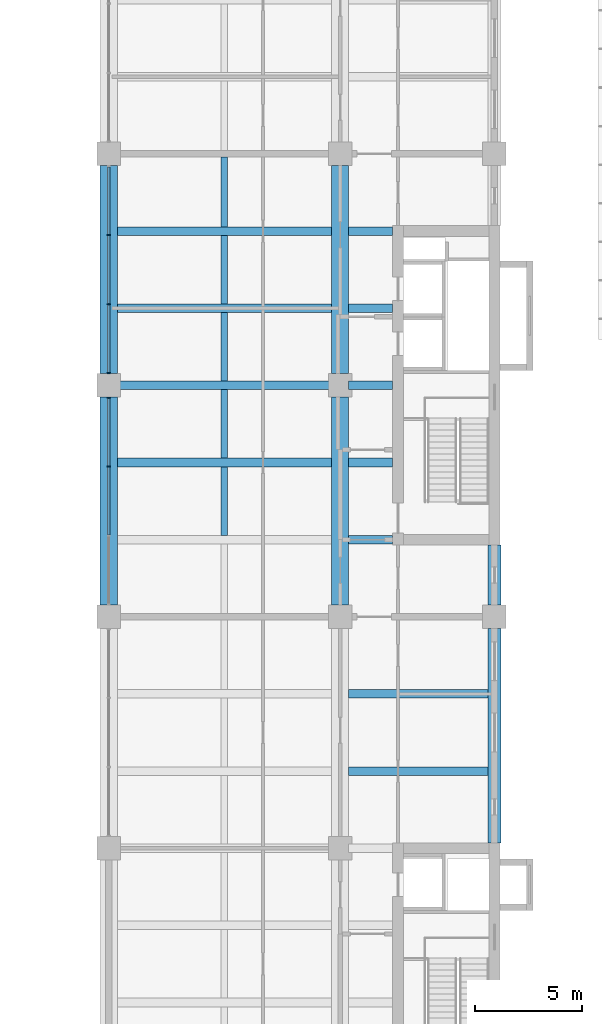
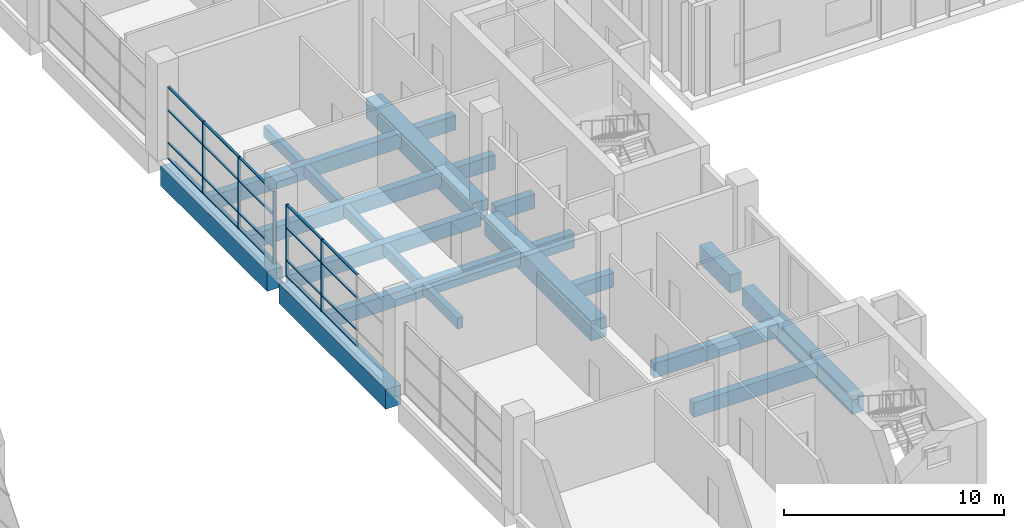
# One storey, part 8 of 33: 25 members, 22 beams, 2 elements without a shape of their own.
"""IFC4 building model written with IfcOpenShell, lengths in metres."""

import ifcopenshell
import ifcopenshell.guid

model = None  # the IFC model being written
_history = None  # IfcOwnerHistory: only IFC2X3 demands one
_inside = {}  # id of a spatial element -> (the spatial element, [elements in it])
_under = {}  # id of a project, library or spatial element -> (it, [spatial elements below it])
_declared = {}  # id of a project -> (the project, [libraries it declares])
_typed = {}  # id of a type object -> (the type object, [elements of that type])
_made_of = {}  # id of a material, layer set ... -> (it, [elements and type objects made of it])


def new_model(schema):
    """Start an empty IFC model of exactly this schema.

    Asked for "IFC4X3", IfcOpenShell would pick the latest addendum, in which some entities
    have other attributes; the version numbers below select the first issue.
    IFC2X3 requires an IfcOwnerHistory on every rooted entity: one is made here for all.
    """
    global model, _history
    if schema == "IFC4X3":
        model = ifcopenshell.file(schema_version=(4, 3, 0, 0))
    else:
        model = ifcopenshell.file(schema=schema)
    _inside.clear()
    _under.clear()
    _declared.clear()
    _typed.clear()
    _made_of.clear()
    _history = None
    if model.schema == "IFC2X3":
        org = make("IfcOrganization", Name="unknown")
        user = make(
            "IfcPersonAndOrganization",
            ThePerson=make("IfcPerson", FamilyName="unknown"),
            TheOrganization=org,
        )
        app = make(
            "IfcApplication",
            ApplicationDeveloper=org,
            Version="unknown",
            ApplicationFullName="unknown",
            ApplicationIdentifier="unknown",
        )
        _history = make(
            "IfcOwnerHistory",
            OwningUser=user,
            OwningApplication=app,
            ChangeAction="ADDED",
            CreationDate=0,
        )
    return model


def make(cls, **values):
    """One entity of the class cls with the attributes given. An attribute that is None is left unset."""
    return model.create_entity(
        cls, **{name: value for name, value in values.items() if value is not None}
    )


def rooted(cls, **values):
    """An entity with a GlobalId (a new one), such as an element, a storey or a relation."""
    return make(cls, GlobalId=ifcopenshell.guid.new(), OwnerHistory=_history, **values)


def si_unit(unit_type, name, prefix=None):
    """IfcSIUnit, for example si_unit("LENGTHUNIT", "METRE", prefix="MILLI")."""
    return make("IfcSIUnit", UnitType=unit_type, Prefix=prefix, Name=name)


def assignment(units):
    """IfcUnitAssignment: the units of a project."""
    return None if units is None else make("IfcUnitAssignment", Units=units)


def point(xyz):
    """IfcCartesianPoint."""
    return None if xyz is None else make("IfcCartesianPoint", Coordinates=xyz)


def direction(xyz):
    """IfcDirection."""
    return None if xyz is None else make("IfcDirection", DirectionRatios=xyz)


def frame(location, z_axis=None, x_axis=None):
    """IfcAxis2Placement3D, a coordinate frame: its origin and axes. An axis left out is left unset."""
    return make(
        "IfcAxis2Placement3D",
        Location=point(location),
        Axis=direction(z_axis),
        RefDirection=direction(x_axis),
    )


def frame_2d(location, x_axis=None):
    """IfcAxis2Placement2D, a coordinate frame in the plane: its origin and x axis."""
    return make(
        "IfcAxis2Placement2D", Location=point(location), RefDirection=direction(x_axis)
    )


def origin():
    """The frame at (0, 0, 0) with its axes left unset."""
    return frame((0.0, 0.0, 0.0))


def origin_2d():
    """The frame at (0, 0) in the plane with its x axis left unset."""
    return frame_2d((0.0, 0.0))


def place(relative_to, where):
    """IfcLocalPlacement: puts the frame where relative to a parent placement (None: the world)."""
    return make(
        "IfcLocalPlacement", PlacementRelTo=relative_to, RelativePlacement=where
    )


def context(
    kind, dimensions, precision=None, world=None, true_north=None, identifier=None
):
    """IfcGeometricRepresentationContext, for example the 3D "Model" context."""
    return make(
        "IfcGeometricRepresentationContext",
        ContextIdentifier=identifier,
        ContextType=kind,
        CoordinateSpaceDimension=dimensions,
        Precision=precision,
        WorldCoordinateSystem=world,
        TrueNorth=true_north,
    )


def subcontext(parent, identifier, kind, view, scale=None):
    """IfcGeometricRepresentationSubContext, for example "Body" below "Model"."""
    return make(
        "IfcGeometricRepresentationSubContext",
        ContextIdentifier=identifier,
        ContextType=kind,
        ParentContext=parent,
        TargetScale=scale,
        TargetView=view,
    )


def project(units=None, contexts=None):
    """IfcProject with its units and contexts."""
    return rooted(
        "IfcProject",
        Name="project",
        RepresentationContexts=contexts,
        UnitsInContext=assignment(units),
    )


def spatial(cls, under=None, at=None, **own):
    """A site, building, storey or space (cls), placed at a placement, below another one or the project."""
    s = rooted(cls, ObjectPlacement=at, **own)
    if under is not None:
        _under.setdefault(under.id(), (under, []))[1].append(s)
    return s


def profile(cls, at=None, kind="AREA", **sizes):
    """A parametric profile (cls). Its sizes go by their IFC names, for example OverallWidth=200.0."""
    return make(cls, ProfileType=kind, Position=at, **sizes)


def rectangle(**sizes):
    """IfcRectangleProfileDef."""
    return profile("IfcRectangleProfileDef", **sizes)


def extrude(swept, where, along, depth):
    """IfcExtrudedAreaSolid: the profile swept, set in the frame where, extruded along a direction by depth."""
    return make(
        "IfcExtrudedAreaSolid",
        SweptArea=swept,
        Position=where,
        ExtrudedDirection=direction(along),
        Depth=depth,
    )


def shape(context_of_items, identifier, shape_type, items):
    """IfcShapeRepresentation: the items that make up one representation, for example the "Body"."""
    return make(
        "IfcShapeRepresentation",
        ContextOfItems=context_of_items,
        RepresentationIdentifier=identifier,
        RepresentationType=shape_type,
        Items=items,
    )


def material(Name=None, Category=None):
    """IfcMaterial."""
    return make("IfcMaterial", Name=Name, Category=Category)


def layer(
    of_material, thickness, ventilated=None, Name=None, Category=None, Priority=None
):
    """IfcMaterialLayer: one layer of a wall or slab, of a material (None: an air gap)."""
    return make(
        "IfcMaterialLayer",
        Material=of_material,
        LayerThickness=thickness,
        IsVentilated=ventilated,
        Name=Name,
        Category=Category,
        Priority=Priority,
    )


def layer_set(layers, Name=None):
    """IfcMaterialLayerSet."""
    return make("IfcMaterialLayerSet", MaterialLayers=layers, LayerSetName=Name)


def material_profile(
    of_material, cross_section, Name=None, Category=None, Priority=None
):
    """IfcMaterialProfile: a cross section and its material."""
    return make(
        "IfcMaterialProfile",
        Name=Name,
        Material=of_material,
        Profile=cross_section,
        Priority=Priority,
        Category=Category,
    )


def profile_set(profiles, Name=None, composite=None):
    """IfcMaterialProfileSet."""
    return make(
        "IfcMaterialProfileSet",
        Name=Name,
        MaterialProfiles=profiles,
        CompositeProfile=composite,
    )


def made_of(thing, what):
    """Note that an element or type object is made of a material, layer set ...; save() writes the relation."""
    if what is not None:
        _made_of.setdefault(what.id(), (what, []))[1].append(thing)
    return thing


def type_object(cls, material=None, **own):
    """A type object (cls), such as IfcWallType, which elements share."""
    return made_of(rooted(cls, **own), material)


def element(
    cls,
    number,
    at=None,
    inside=None,
    cuts=None,
    type_object=None,
    material=None,
    context=None,
    identifier="Body",
    shape_type=None,
    held_by="IfcProductDefinitionShape",
    body=None,
    shapes=None,
    **own,
):
    """One element of the class cls, such as IfcWall. Its Tag is "e" and its number.

    at: its placement. inside: the storey or other place that contains it. cuts: it is an
    opening in that element (IfcRelVoidsElement). A single representation is given by context,
    identifier, shape_type and body (its items); several are given by shapes. held_by: the class
    of the entity that holds the representations. save() writes the other relations.
    """
    e = rooted(cls, Tag="e%d" % number, ObjectPlacement=at, **own)
    if body is not None:
        shapes = [shape(context, identifier, shape_type, body)]
    if shapes is not None:
        e.Representation = make(held_by, Representations=shapes)
    if inside is not None:
        _inside.setdefault(inside.id(), (inside, []))[1].append(e)
    if cuts is not None:
        rooted(
            "IfcRelVoidsElement", RelatingBuildingElement=cuts, RelatedOpeningElement=e
        )
    if type_object is not None:
        _typed.setdefault(type_object.id(), (type_object, []))[1].append(e)
    return made_of(e, material)


def aggregate(whole, parts):
    """IfcRelAggregates: a whole, such as a stair, and the parts it consists of."""
    return rooted("IfcRelAggregates", RelatingObject=whole, RelatedObjects=parts)


def save(model, path):
    """Write the relations noted so far, then the file.

    IfcRelAggregates (storeys below a building ...), IfcRelContainedInSpatialStructure (elements
    in a storey), IfcRelDefinesByType, IfcRelAssociatesMaterial and IfcRelDeclares: one each for
    every whole, place, type object, material and project.
    """
    for whole, parts in _under.values():
        aggregate(whole, parts)
    for where, things in _inside.values():
        rooted(
            "IfcRelContainedInSpatialStructure",
            RelatedElements=things,
            RelatingStructure=where,
        )
    for kind, things in _typed.values():
        rooted("IfcRelDefinesByType", RelatedObjects=things, RelatingType=kind)
    for what, things in _made_of.values():
        rooted("IfcRelAssociatesMaterial", RelatedObjects=things, RelatingMaterial=what)
    for by, libraries in _declared.values():
        rooted("IfcRelDeclares", RelatingContext=by, RelatedDefinitions=libraries)
    model.write(path)


model = new_model("IFC4")

# Units and contexts
model_context = context("Model", 3, precision=1e-05, world=origin(), true_north=direction((0.0, 1.0)))
body_context = subcontext(model_context, "Body", "Model", "MODEL_VIEW")
ifc_project = project(units=[si_unit("LENGTHUNIT", "METRE"), si_unit("AREAUNIT", "SQUARE_METRE"), si_unit("VOLUMEUNIT", "CUBIC_METRE"), si_unit("PLANEANGLEUNIT", "RADIAN"), si_unit("MASSUNIT", "GRAM", prefix="KILO")], contexts=[model_context])

# Site, building, storey
site_placement = place(None, origin())
site = spatial("IfcSite", under=ifc_project, at=site_placement, CompositionType="ELEMENT")
building_placement = place(site_placement, origin())
building = spatial("IfcBuilding", under=site, at=building_placement, Name="Basin Gate Institute", CompositionType="ELEMENT")
storey_placement = place(building_placement, frame((0.0, 0.0, 6.0)))
storey = spatial("IfcBuildingStorey", under=building, at=storey_placement, Name="L01", CompositionType="ELEMENT", Elevation=6.0)

# Beams
ifc_material_1 = material(Name="Concrete 40 MPa", Category="concrete")
ifc_material_profile_1 = material_profile(ifc_material_1, rectangle(XDim=0.39990234375, YDim=0.800048828125, at=origin_2d()), Name="Beam B2 400 x 800")
ifc_profile_set_1 = profile_set([ifc_material_profile_1], Name="Concrete 40 MPa")
beam_type_1 = type_object("IfcBeamType", Name="Beam B2 R180", PredefinedType="BEAM", material=ifc_profile_set_1)
for number, where, z_axis, x_axis, name in (
    (1, (118.5, 49.5, -0.699951171875), (-1.0, 0.0, 0.0), (0.0, -1.0, 0.0), "BEAM/L01/E/OUT/05"),
    (2, (118.5, 53.10009765625, -0.699951171875), (-1.0, 0.0, 0.0), (0.0, -1.0, 0.0), "BEAM/L01/E/OUT/06"),
):
    element("IfcBeam", number, at=place(storey_placement, frame(where, z_axis=z_axis, x_axis=x_axis)), inside=storey, type_object=beam_type_1, material=ifc_profile_set_1, Name=name, PredefinedType="BEAM", context=body_context, shape_type="SweptSolid", body=[
        extrude(rectangle(XDim=0.39990234375, YDim=0.800048828125, at=origin_2d()), origin(), (0.0, 0.0, 1.0), 6.5),
    ])
beam_1_placement = place(storey_placement, frame((114.050048828125, 60.300048828125, -0.699951171875), z_axis=(-1.0, 0.0, 0.0), x_axis=(0.0, -1.0, 0.0)))
element("IfcBeam", 3, at=beam_1_placement, inside=storey, type_object=beam_type_1, material=ifc_profile_set_1, Name="BEAM/L01/E/CORR/08", PredefinedType="BEAM", context=body_context, shape_type="SweptSolid", body=[
    extrude(rectangle(XDim=0.39990234375, YDim=0.800048828125, at=origin_2d()), origin(), (0.0, 0.0, 1.0), 2.050048828125),
])
beam_2_placement = place(storey_placement, frame((111.199951171875, 63.89990234375, -0.699951171875), z_axis=(-1.0, 0.0, 0.0), x_axis=(0.0, -1.0, 0.0)))
element("IfcBeam", 4, at=beam_2_placement, inside=storey, type_object=beam_type_1, material=ifc_profile_set_1, Name="BEAM/L01/E/EW/09", PredefinedType="BEAM", context=body_context, shape_type="SweptSolid", body=[
    extrude(rectangle(XDim=0.39990234375, YDim=0.800048828125, at=origin_2d()), origin(), (0.0, 0.0, 1.0), 10.0),
])
beam_3_placement = place(storey_placement, frame((114.050048828125, 63.89990234375, -0.699951171875), z_axis=(-1.0, 0.0, 0.0), x_axis=(0.0, -1.0, 0.0)))
element("IfcBeam", 5, at=beam_3_placement, inside=storey, type_object=beam_type_1, material=ifc_profile_set_1, Name="BEAM/L01/E/CORR/09", PredefinedType="BEAM", context=body_context, shape_type="SweptSolid", body=[
    extrude(rectangle(XDim=0.39990234375, YDim=0.800048828125, at=origin_2d()), origin(), (0.0, 0.0, 1.0), 2.050048828125),
])
beam_4_placement = place(storey_placement, frame((111.199951171875, 67.5, -0.699951171875), z_axis=(-1.0, 0.0, 0.0), x_axis=(0.0, -1.0, 0.0)))
element("IfcBeam", 6, at=beam_4_placement, inside=storey, type_object=beam_type_1, material=ifc_profile_set_1, Name="BEAM/L01/E/EW/10", PredefinedType="BEAM", context=body_context, shape_type="SweptSolid", body=[
    extrude(rectangle(XDim=0.39990234375, YDim=0.800048828125, at=origin_2d()), origin(), (0.0, 0.0, 1.0), 10.0),
])
beam_5_placement = place(storey_placement, frame((114.050048828125, 67.5, -0.699951171875), z_axis=(-1.0, 0.0, 0.0), x_axis=(0.0, -1.0, 0.0)))
element("IfcBeam", 7, at=beam_5_placement, inside=storey, type_object=beam_type_1, material=ifc_profile_set_1, Name="BEAM/L01/E/CORR/10", PredefinedType="BEAM", context=body_context, shape_type="SweptSolid", body=[
    extrude(rectangle(XDim=0.39990234375, YDim=0.800048828125, at=origin_2d()), origin(), (0.0, 0.0, 1.0), 2.050048828125),
])
beam_6_placement = place(storey_placement, frame((111.199951171875, 71.10009765625, -0.699951171875), z_axis=(-1.0, 0.0, 0.0), x_axis=(0.0, -1.0, 0.0)))
element("IfcBeam", 8, at=beam_6_placement, inside=storey, type_object=beam_type_1, material=ifc_profile_set_1, Name="BEAM/L01/E/EW/11", PredefinedType="BEAM", context=body_context, shape_type="SweptSolid", body=[
    extrude(rectangle(XDim=0.39990234375, YDim=0.800048828125, at=origin_2d()), origin(), (0.0, 0.0, 1.0), 10.0),
])
beam_7_placement = place(storey_placement, frame((114.050048828125, 71.10009765625, -0.699951171875), z_axis=(-1.0, 0.0, 0.0), x_axis=(0.0, -1.0, 0.0)))
element("IfcBeam", 9, at=beam_7_placement, inside=storey, type_object=beam_type_1, material=ifc_profile_set_1, Name="BEAM/L01/E/CORR/11", PredefinedType="BEAM", context=body_context, shape_type="SweptSolid", body=[
    extrude(rectangle(XDim=0.39990234375, YDim=0.800048828125, at=origin_2d()), origin(), (0.0, 0.0, 1.0), 2.050048828125),
])
beam_8_placement = place(storey_placement, frame((111.199951171875, 74.699951171875, -0.699951171875), z_axis=(-1.0, 0.0, 0.0), x_axis=(0.0, -1.0, 0.0)))
element("IfcBeam", 10, at=beam_8_placement, inside=storey, type_object=beam_type_1, material=ifc_profile_set_1, Name="BEAM/L01/E/EW/12", PredefinedType="BEAM", context=body_context, shape_type="SweptSolid", body=[
    extrude(rectangle(XDim=0.39990234375, YDim=0.800048828125, at=origin_2d()), origin(), (0.0, 0.0, 1.0), 10.0),
])
beam_9_placement = place(storey_placement, frame((114.050048828125, 74.699951171875, -0.699951171875), z_axis=(-1.0, 0.0, 0.0), x_axis=(0.0, -1.0, 0.0)))
element("IfcBeam", 11, at=beam_9_placement, inside=storey, type_object=beam_type_1, material=ifc_profile_set_1, Name="BEAM/L01/E/CORR/12", PredefinedType="BEAM", context=body_context, shape_type="SweptSolid", body=[
    extrude(rectangle(XDim=0.39990234375, YDim=0.800048828125, at=origin_2d()), origin(), (0.0, 0.0, 1.0), 2.050048828125),
])
ifc_material_2 = material(Name="Concrete 50 MPa", Category="concrete")
ifc_material_profile_2 = material_profile(ifc_material_2, rectangle(XDim=0.60009765625, YDim=1.0, at=origin_2d()), Name="Edge beam EB2 600 x 1000")
ifc_profile_set_2 = profile_set([ifc_material_profile_2], Name="Concrete 50 MPa")
beam_type_2 = type_object("IfcBeamType", Name="Edge beam EB2 R180", PredefinedType="SPANDREL", material=ifc_profile_set_2)
beam_10_placement = place(storey_placement, frame((118.800048828125, 46.14990234375, -0.800048828125), z_axis=(0.0, 1.0, 0.0), x_axis=(-1.0, 0.0, 0.0)))
element("IfcBeam", 12, at=beam_10_placement, inside=storey, type_object=beam_type_2, material=ifc_profile_set_2, Name="BEAM/L01/E/EDGE/1", PredefinedType="SPANDREL", context=body_context, shape_type="SweptSolid", body=[
    extrude(rectangle(XDim=0.60009765625, YDim=1.0, at=origin_2d()), origin(), (0.0, 0.0, 1.0), 10.0),
])
ifc_material_3 = material(Name="Concrete 50 MPa", Category="concrete")
ifc_material_profile_3 = material_profile(ifc_material_3, rectangle(XDim=0.60009765625, YDim=1.0, at=origin_2d()), Name="Edge return beam EB4 600 x 1000")
ifc_profile_set_3 = profile_set([ifc_material_profile_3], Name="Concrete 50 MPa")
beam_type_3 = type_object("IfcBeamType", Name="Edge return beam EB4 R180", PredefinedType="SPANDREL", material=ifc_profile_set_3)
beam_11_placement = place(storey_placement, frame((118.800048828125, 57.25, -0.800048828125), z_axis=(0.0, 1.0, 0.0), x_axis=(-1.0, 0.0, 0.0)))
element("IfcBeam", 13, at=beam_11_placement, inside=storey, type_object=beam_type_3, material=ifc_profile_set_3, Name="BEAM/L01/E/EDGE/2", PredefinedType="SPANDREL", context=body_context, shape_type="SweptSolid", body=[
    extrude(rectangle(XDim=0.60009765625, YDim=1.0, at=origin_2d()), origin(), (0.0, 0.0, 1.0), 2.800048828125),
])
ifc_material_4 = material(Name="Concrete 50 MPa", Category="concrete")
ifc_material_profile_4 = material_profile(ifc_material_4, rectangle(XDim=0.800048828125, YDim=1.10009765625, at=origin_2d()), Name="Girder G2 800 x 1100")
ifc_profile_set_4 = profile_set([ifc_material_profile_4], Name="Concrete 50 MPa")
beam_type_4 = type_object("IfcBeamType", Name="Girder G2 R180", PredefinedType="BEAM", material=ifc_profile_set_4)
for number, where, z_axis, x_axis, name in (
    (14, (111.60009765625, 57.25, -0.85009765625), (0.0, 1.0, 0.0), (-1.0, 0.0, 0.0), "GIR/L01/E8/3"),
    (15, (111.60009765625, 68.050048828125, -0.85009765625), (0.0, 1.0, 0.0), (-1.0, 0.0, 0.0), "GIR/L01/E8/4"),
    (16, (100.800048828125, 57.25, -0.85009765625), (0.0, 1.0, 0.0), (-1.0, 0.0, 0.0), "GIR/L01/E7/3"),
    (17, (100.800048828125, 68.050048828125, -0.85009765625), (0.0, 1.0, 0.0), (-1.0, 0.0, 0.0), "GIR/L01/E7/4"),
):
    element("IfcBeam", number, at=place(storey_placement, frame(where, z_axis=z_axis, x_axis=x_axis)), inside=storey, type_object=beam_type_4, material=ifc_profile_set_4, Name=name, PredefinedType="BEAM", context=body_context, shape_type="SweptSolid", body=[
        extrude(rectangle(XDim=0.800048828125, YDim=1.10009765625, at=origin_2d()), origin(), (0.0, 0.0, 1.0), 9.699951171875),
    ])

# Curtain wall, members
ifc_material_5 = material(Name="Fire-resistant glazing in steel-free frame", Category="steel")
ifc_layer = layer(ifc_material_5, 0.199951171875)
ifc_layer_set = layer_set([ifc_layer], Name="Fire-resistant glazing in steel-free frame")
curtain_wall_type = type_object("IfcCurtainWallType", Name="Atrium rated curtain wall CW3", PredefinedType="NOTDEFINED", material=ifc_layer_set)
curtain_wall_1_placement = place(storey_placement, origin())
curtain_wall_1 = element("IfcCurtainWall", 18, at=curtain_wall_1_placement, inside=storey, type_object=curtain_wall_type, material=ifc_layer_set, Name="Atrium rated curtain wall E wing atrium bay 3 L01", PredefinedType="NOTDEFINED")
ifc_material_6 = material(Name="Aluminium", Category="aluminium")
ifc_material_profile_5 = material_profile(ifc_material_6, rectangle(XDim=0.14990234375, YDim=0.06005859375, at=origin_2d()), Name="Mullion MU3 150 x 60")
ifc_profile_set_5 = profile_set([ifc_material_profile_5], Name="Aluminium")
member_type_1 = type_object("IfcMemberType", Name="Mullion MU3", PredefinedType="MULLION", material=ifc_profile_set_5)
member_1_placement = place(storey_placement, frame((100.800048828125, 63.716552734375, 0.0), z_axis=(0.0, 0.0, 1.0), x_axis=(-1.0, 0.0, 0.0)))
member_1 = element("IfcMember", 19, at=member_1_placement, type_object=member_type_1, material=ifc_profile_set_5, Name="CW3 mullion 3", PredefinedType="MULLION", context=body_context, shape_type="SweptSolid", body=[
    extrude(rectangle(XDim=0.14990234375, YDim=0.06005859375, at=origin_2d()), origin(), (0.0, 0.0, 1.0), 4.0),
])
member_2_placement = place(storey_placement, frame((100.800048828125, 66.919921875, 0.0), z_axis=(0.0, 0.0, 1.0), x_axis=(-1.0, 0.0, 0.0)))
member_2 = element("IfcMember", 20, at=member_2_placement, type_object=member_type_1, material=ifc_profile_set_5, Name="CW3 mullion 4", PredefinedType="MULLION", context=body_context, shape_type="SweptSolid", body=[
    extrude(rectangle(XDim=0.14990234375, YDim=0.06005859375, at=origin_2d()), origin(), (0.0, 0.0, 1.0), 4.0),
])

curtain_wall_2_placement = place(storey_placement, origin())
curtain_wall_2 = element("IfcCurtainWall", 21, at=curtain_wall_2_placement, inside=storey, type_object=curtain_wall_type, material=ifc_layer_set, Name="Atrium rated curtain wall E wing atrium bay 4 L01", PredefinedType="NOTDEFINED")
member_3_placement = place(storey_placement, frame((100.800048828125, 68.080078125, 0.0), z_axis=(0.0, 0.0, 1.0), x_axis=(-1.0, 0.0, 0.0)))
member_3 = element("IfcMember", 22, at=member_3_placement, type_object=member_type_1, material=ifc_profile_set_5, Name="CW3 mullion 1", PredefinedType="MULLION", context=body_context, shape_type="SweptSolid", body=[
    extrude(rectangle(XDim=0.14990234375, YDim=0.06005859375, at=origin_2d()), origin(), (0.0, 0.0, 1.0), 4.0),
])
member_4_placement = place(storey_placement, frame((100.800048828125, 71.283447265625, 0.0), z_axis=(0.0, 0.0, 1.0), x_axis=(-1.0, 0.0, 0.0)))
member_4 = element("IfcMember", 23, at=member_4_placement, type_object=member_type_1, material=ifc_profile_set_5, Name="CW3 mullion 2", PredefinedType="MULLION", context=body_context, shape_type="SweptSolid", body=[
    extrude(rectangle(XDim=0.14990234375, YDim=0.06005859375, at=origin_2d()), origin(), (0.0, 0.0, 1.0), 4.0),
])
member_5_placement = place(storey_placement, frame((100.800048828125, 74.5166015625, 0.0), z_axis=(0.0, 0.0, 1.0), x_axis=(-1.0, 0.0, 0.0)))
member_5 = element("IfcMember", 24, at=member_5_placement, type_object=member_type_1, material=ifc_profile_set_5, Name="CW3 mullion 3", PredefinedType="MULLION", context=body_context, shape_type="SweptSolid", body=[
    extrude(rectangle(XDim=0.14990234375, YDim=0.06005859375, at=origin_2d()), origin(), (0.0, 0.0, 1.0), 4.0),
])

# Beams
ifc_material_7 = material(Name="Concrete 40 MPa", Category="concrete")
ifc_material_profile_6 = material_profile(ifc_material_7, rectangle(XDim=0.300048828125, YDim=0.60009765625, at=origin_2d()), Name="Rib R2 300 x 600")
ifc_profile_set_6 = profile_set([ifc_material_profile_6], Name="Concrete 40 MPa")
beam_type_5 = type_object("IfcBeamType", Name="Rib R2 R180", PredefinedType="JOIST", material=ifc_profile_set_6)
for number, where, z_axis, x_axis, name in (
    (25, (106.199951171875, 60.5, -0.60009765625), (0.0, 1.0, 0.0), (-1.0, 0.0, 0.0), "BEAM/L01/E/RIB/08"),
    (26, (106.199951171875, 64.10009765625, -0.60009765625), (0.0, 1.0, 0.0), (-1.0, 0.0, 0.0), "BEAM/L01/E/RIB/09"),
    (27, (106.199951171875, 67.699951171875, -0.60009765625), (0.0, 1.0, 0.0), (-1.0, 0.0, 0.0), "BEAM/L01/E/RIB/10"),
    (28, (106.199951171875, 71.300048828125, -0.60009765625), (0.0, 1.0, 0.0), (-1.0, 0.0, 0.0), "BEAM/L01/E/RIB/11"),
):
    element("IfcBeam", number, at=place(storey_placement, frame(where, z_axis=z_axis, x_axis=x_axis)), inside=storey, type_object=beam_type_5, material=ifc_profile_set_6, Name=name, PredefinedType="JOIST", context=body_context, shape_type="SweptSolid", body=[
        extrude(rectangle(XDim=0.300048828125, YDim=0.60009765625, at=origin_2d()), origin(), (0.0, 0.0, 1.0), 3.199951171875),
    ])
beam_12_placement = place(storey_placement, frame((106.199951171875, 74.89990234375, -0.60009765625), z_axis=(0.0, 1.0, 0.0), x_axis=(-1.0, 0.0, 0.0)))
element("IfcBeam", 29, at=beam_12_placement, inside=storey, type_object=beam_type_5, material=ifc_profile_set_6, Name="BEAM/L01/E/RIB/12", PredefinedType="JOIST", context=body_context, shape_type="SweptSolid", body=[
    extrude(rectangle(XDim=0.300048828125, YDim=0.60009765625, at=origin_2d()), origin(), (0.0, 0.0, 1.0), 3.25),
])

# Member
ifc_material_8 = material(Name="Aluminium", Category="aluminium")
ifc_material_profile_7 = material_profile(ifc_material_8, rectangle(XDim=0.1201171875, YDim=0.06005859375, at=origin_2d()), Name="Transom TR3 120 x 60")
ifc_profile_set_7 = profile_set([ifc_material_profile_7], Name="Aluminium")
member_type_2 = type_object("IfcMemberType", Name="Transom TR3", PredefinedType="USERDEFINED", material=ifc_profile_set_7)
member_6_placement = place(storey_placement, frame((100.800048828125, 60.513427734375, 0.030029296875), z_axis=(0.0, 1.0, 0.0), x_axis=(-1.0, 0.0, 0.0)))
member_6 = element("IfcMember", 30, at=member_6_placement, type_object=member_type_2, material=ifc_profile_set_7, Name="CW3 transom 2.1", ObjectType="TRANSOM", PredefinedType="USERDEFINED", context=body_context, shape_type="SweptSolid", body=[
    extrude(rectangle(XDim=0.1201171875, YDim=0.06005859375, at=origin_2d()), origin(), (0.0, 0.0, 1.0), 3.17333984375),
])

member_7_placement = place(storey_placement, frame((100.800048828125, 60.513427734375, 0.89990234375), z_axis=(0.0, 1.0, 0.0), x_axis=(-1.0, 0.0, 0.0)))
member_7 = element("IfcMember", 31, at=member_7_placement, type_object=member_type_2, material=ifc_profile_set_7, Name="CW3 transom 2.2", ObjectType="TRANSOM", PredefinedType="USERDEFINED", context=body_context, shape_type="SweptSolid", body=[
    extrude(rectangle(XDim=0.1201171875, YDim=0.06005859375, at=origin_2d()), origin(), (0.0, 0.0, 1.0), 3.17333984375),
])

member_8_placement = place(storey_placement, frame((100.800048828125, 60.513427734375, 2.699951171875), z_axis=(0.0, 1.0, 0.0), x_axis=(-1.0, 0.0, 0.0)))
member_8 = element("IfcMember", 32, at=member_8_placement, type_object=member_type_2, material=ifc_profile_set_7, Name="CW3 transom 2.3", ObjectType="TRANSOM", PredefinedType="USERDEFINED", context=body_context, shape_type="SweptSolid", body=[
    extrude(rectangle(XDim=0.1201171875, YDim=0.06005859375, at=origin_2d()), origin(), (0.0, 0.0, 1.0), 3.17333984375),
])

member_9_placement = place(storey_placement, frame((100.800048828125, 60.513427734375, 3.969970703125), z_axis=(0.0, 1.0, 0.0), x_axis=(-1.0, 0.0, 0.0)))
member_9 = element("IfcMember", 33, at=member_9_placement, type_object=member_type_2, material=ifc_profile_set_7, Name="CW3 transom 2.4", ObjectType="TRANSOM", PredefinedType="USERDEFINED", context=body_context, shape_type="SweptSolid", body=[
    extrude(rectangle(XDim=0.1201171875, YDim=0.06005859375, at=origin_2d()), origin(), (0.0, 0.0, 1.0), 3.17333984375),
])

member_10_placement = place(storey_placement, frame((100.800048828125, 63.74658203125, 0.030029296875), z_axis=(0.0, 1.0, 0.0), x_axis=(-1.0, 0.0, 0.0)))
member_10 = element("IfcMember", 34, at=member_10_placement, type_object=member_type_2, material=ifc_profile_set_7, Name="CW3 transom 3.1", ObjectType="TRANSOM", PredefinedType="USERDEFINED", context=body_context, shape_type="SweptSolid", body=[
    extrude(rectangle(XDim=0.1201171875, YDim=0.06005859375, at=origin_2d()), origin(), (0.0, 0.0, 1.0), 3.143310546875),
])

member_11_placement = place(storey_placement, frame((100.800048828125, 63.74658203125, 0.89990234375), z_axis=(0.0, 1.0, 0.0), x_axis=(-1.0, 0.0, 0.0)))
member_11 = element("IfcMember", 35, at=member_11_placement, type_object=member_type_2, material=ifc_profile_set_7, Name="CW3 transom 3.2", ObjectType="TRANSOM", PredefinedType="USERDEFINED", context=body_context, shape_type="SweptSolid", body=[
    extrude(rectangle(XDim=0.1201171875, YDim=0.06005859375, at=origin_2d()), origin(), (0.0, 0.0, 1.0), 3.143310546875),
])

member_12_placement = place(storey_placement, frame((100.800048828125, 63.74658203125, 2.699951171875), z_axis=(0.0, 1.0, 0.0), x_axis=(-1.0, 0.0, 0.0)))
member_12 = element("IfcMember", 36, at=member_12_placement, type_object=member_type_2, material=ifc_profile_set_7, Name="CW3 transom 3.3", ObjectType="TRANSOM", PredefinedType="USERDEFINED", context=body_context, shape_type="SweptSolid", body=[
    extrude(rectangle(XDim=0.1201171875, YDim=0.06005859375, at=origin_2d()), origin(), (0.0, 0.0, 1.0), 3.143310546875),
])

member_13_placement = place(storey_placement, frame((100.800048828125, 63.74658203125, 3.969970703125), z_axis=(0.0, 1.0, 0.0), x_axis=(-1.0, 0.0, 0.0)))
member_13 = element("IfcMember", 37, at=member_13_placement, type_object=member_type_2, material=ifc_profile_set_7, Name="CW3 transom 3.4", ObjectType="TRANSOM", PredefinedType="USERDEFINED", context=body_context, shape_type="SweptSolid", body=[
    extrude(rectangle(XDim=0.1201171875, YDim=0.06005859375, at=origin_2d()), origin(), (0.0, 0.0, 1.0), 3.143310546875),
])

aggregate(curtain_wall_1, [member_1, member_2, member_6, member_7, member_8, member_9, member_10, member_11, member_12, member_13])

member_14_placement = place(storey_placement, frame((100.800048828125, 68.110107421875, 0.030029296875), z_axis=(0.0, 1.0, 0.0), x_axis=(-1.0, 0.0, 0.0)))
member_14 = element("IfcMember", 38, at=member_14_placement, type_object=member_type_2, material=ifc_profile_set_7, Name="CW3 transom 1.1", ObjectType="TRANSOM", PredefinedType="USERDEFINED", context=body_context, shape_type="SweptSolid", body=[
    extrude(rectangle(XDim=0.1201171875, YDim=0.06005859375, at=origin_2d()), origin(), (0.0, 0.0, 1.0), 3.143310546875),
])

member_15_placement = place(storey_placement, frame((100.800048828125, 68.110107421875, 0.89990234375), z_axis=(0.0, 1.0, 0.0), x_axis=(-1.0, 0.0, 0.0)))
member_15 = element("IfcMember", 39, at=member_15_placement, type_object=member_type_2, material=ifc_profile_set_7, Name="CW3 transom 1.2", ObjectType="TRANSOM", PredefinedType="USERDEFINED", context=body_context, shape_type="SweptSolid", body=[
    extrude(rectangle(XDim=0.1201171875, YDim=0.06005859375, at=origin_2d()), origin(), (0.0, 0.0, 1.0), 3.143310546875),
])

member_16_placement = place(storey_placement, frame((100.800048828125, 68.110107421875, 2.699951171875), z_axis=(0.0, 1.0, 0.0), x_axis=(-1.0, 0.0, 0.0)))
member_16 = element("IfcMember", 40, at=member_16_placement, type_object=member_type_2, material=ifc_profile_set_7, Name="CW3 transom 1.3", ObjectType="TRANSOM", PredefinedType="USERDEFINED", context=body_context, shape_type="SweptSolid", body=[
    extrude(rectangle(XDim=0.1201171875, YDim=0.06005859375, at=origin_2d()), origin(), (0.0, 0.0, 1.0), 3.143310546875),
])

member_17_placement = place(storey_placement, frame((100.800048828125, 68.110107421875, 3.969970703125), z_axis=(0.0, 1.0, 0.0), x_axis=(-1.0, 0.0, 0.0)))
member_17 = element("IfcMember", 41, at=member_17_placement, type_object=member_type_2, material=ifc_profile_set_7, Name="CW3 transom 1.4", ObjectType="TRANSOM", PredefinedType="USERDEFINED", context=body_context, shape_type="SweptSolid", body=[
    extrude(rectangle(XDim=0.1201171875, YDim=0.06005859375, at=origin_2d()), origin(), (0.0, 0.0, 1.0), 3.143310546875),
])

member_18_placement = place(storey_placement, frame((100.800048828125, 71.313232421875, 0.030029296875), z_axis=(0.0, 1.0, 0.0), x_axis=(-1.0, 0.0, 0.0)))
member_18 = element("IfcMember", 42, at=member_18_placement, type_object=member_type_2, material=ifc_profile_set_7, Name="CW3 transom 2.1", ObjectType="TRANSOM", PredefinedType="USERDEFINED", context=body_context, shape_type="SweptSolid", body=[
    extrude(rectangle(XDim=0.1201171875, YDim=0.06005859375, at=origin_2d()), origin(), (0.0, 0.0, 1.0), 3.17333984375),
])

member_19_placement = place(storey_placement, frame((100.800048828125, 71.313232421875, 0.89990234375), z_axis=(0.0, 1.0, 0.0), x_axis=(-1.0, 0.0, 0.0)))
member_19 = element("IfcMember", 43, at=member_19_placement, type_object=member_type_2, material=ifc_profile_set_7, Name="CW3 transom 2.2", ObjectType="TRANSOM", PredefinedType="USERDEFINED", context=body_context, shape_type="SweptSolid", body=[
    extrude(rectangle(XDim=0.1201171875, YDim=0.06005859375, at=origin_2d()), origin(), (0.0, 0.0, 1.0), 3.17333984375),
])

member_20_placement = place(storey_placement, frame((100.800048828125, 71.313232421875, 2.699951171875), z_axis=(0.0, 1.0, 0.0), x_axis=(-1.0, 0.0, 0.0)))
member_20 = element("IfcMember", 44, at=member_20_placement, type_object=member_type_2, material=ifc_profile_set_7, Name="CW3 transom 2.3", ObjectType="TRANSOM", PredefinedType="USERDEFINED", context=body_context, shape_type="SweptSolid", body=[
    extrude(rectangle(XDim=0.1201171875, YDim=0.06005859375, at=origin_2d()), origin(), (0.0, 0.0, 1.0), 3.17333984375),
])

member_21_placement = place(storey_placement, frame((100.800048828125, 71.313232421875, 3.969970703125), z_axis=(0.0, 1.0, 0.0), x_axis=(-1.0, 0.0, 0.0)))
member_21 = element("IfcMember", 45, at=member_21_placement, type_object=member_type_2, material=ifc_profile_set_7, Name="CW3 transom 2.4", ObjectType="TRANSOM", PredefinedType="USERDEFINED", context=body_context, shape_type="SweptSolid", body=[
    extrude(rectangle(XDim=0.1201171875, YDim=0.06005859375, at=origin_2d()), origin(), (0.0, 0.0, 1.0), 3.17333984375),
])

member_22_placement = place(storey_placement, frame((100.800048828125, 74.546630859375, 0.030029296875), z_axis=(0.0, 1.0, 0.0), x_axis=(-1.0, 0.0, 0.0)))
member_22 = element("IfcMember", 46, at=member_22_placement, type_object=member_type_2, material=ifc_profile_set_7, Name="CW3 transom 3.1", ObjectType="TRANSOM", PredefinedType="USERDEFINED", context=body_context, shape_type="SweptSolid", body=[
    extrude(rectangle(XDim=0.1201171875, YDim=0.06005859375, at=origin_2d()), origin(), (0.0, 0.0, 1.0), 3.143310546875),
])

member_23_placement = place(storey_placement, frame((100.800048828125, 74.546630859375, 0.89990234375), z_axis=(0.0, 1.0, 0.0), x_axis=(-1.0, 0.0, 0.0)))
member_23 = element("IfcMember", 47, at=member_23_placement, type_object=member_type_2, material=ifc_profile_set_7, Name="CW3 transom 3.2", ObjectType="TRANSOM", PredefinedType="USERDEFINED", context=body_context, shape_type="SweptSolid", body=[
    extrude(rectangle(XDim=0.1201171875, YDim=0.06005859375, at=origin_2d()), origin(), (0.0, 0.0, 1.0), 3.143310546875),
])

member_24_placement = place(storey_placement, frame((100.800048828125, 74.546630859375, 2.699951171875), z_axis=(0.0, 1.0, 0.0), x_axis=(-1.0, 0.0, 0.0)))
member_24 = element("IfcMember", 48, at=member_24_placement, type_object=member_type_2, material=ifc_profile_set_7, Name="CW3 transom 3.3", ObjectType="TRANSOM", PredefinedType="USERDEFINED", context=body_context, shape_type="SweptSolid", body=[
    extrude(rectangle(XDim=0.1201171875, YDim=0.06005859375, at=origin_2d()), origin(), (0.0, 0.0, 1.0), 3.143310546875),
])

member_25_placement = place(storey_placement, frame((100.800048828125, 74.546630859375, 3.969970703125), z_axis=(0.0, 1.0, 0.0), x_axis=(-1.0, 0.0, 0.0)))
member_25 = element("IfcMember", 49, at=member_25_placement, type_object=member_type_2, material=ifc_profile_set_7, Name="CW3 transom 3.4", ObjectType="TRANSOM", PredefinedType="USERDEFINED", context=body_context, shape_type="SweptSolid", body=[
    extrude(rectangle(XDim=0.1201171875, YDim=0.06005859375, at=origin_2d()), origin(), (0.0, 0.0, 1.0), 3.143310546875),
])

aggregate(curtain_wall_2, [member_3, member_4, member_5, member_14, member_15, member_16, member_17, member_18, member_19, member_20, member_21, member_22, member_23, member_24, member_25])

save(model, "model.ifc")
